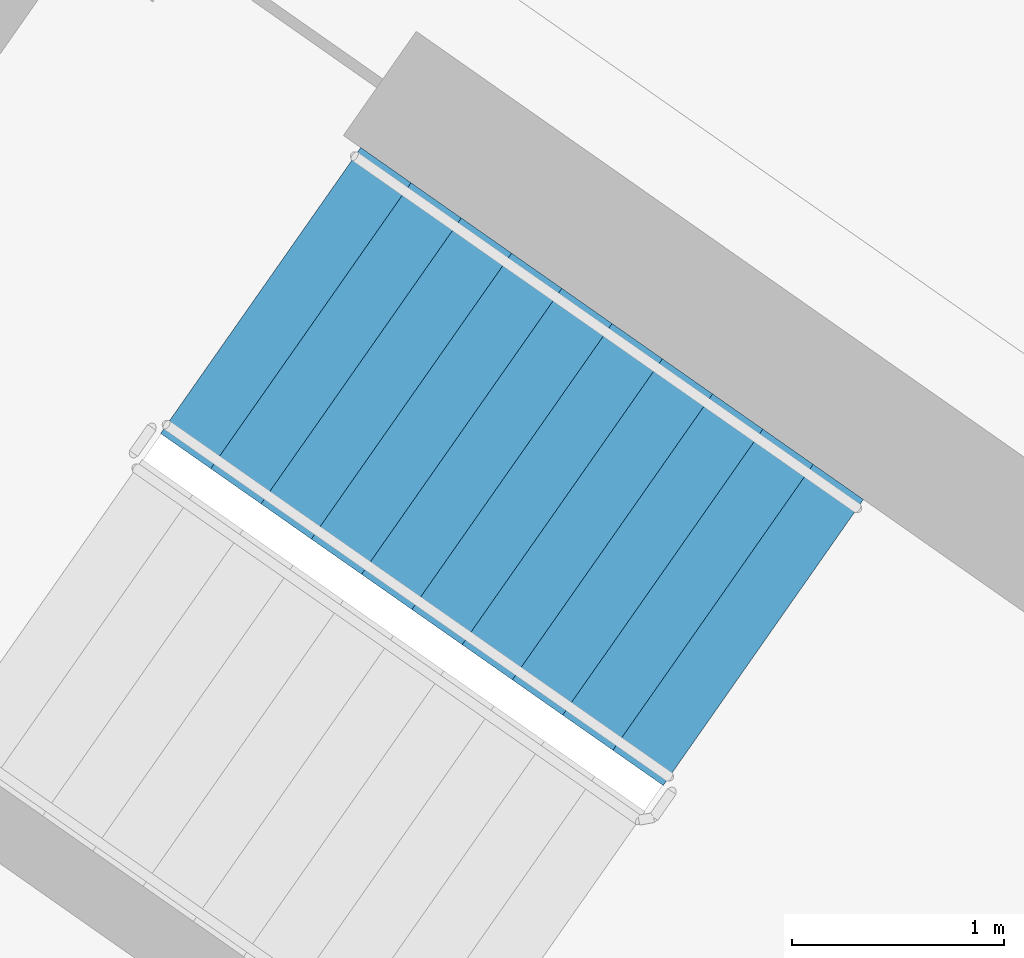
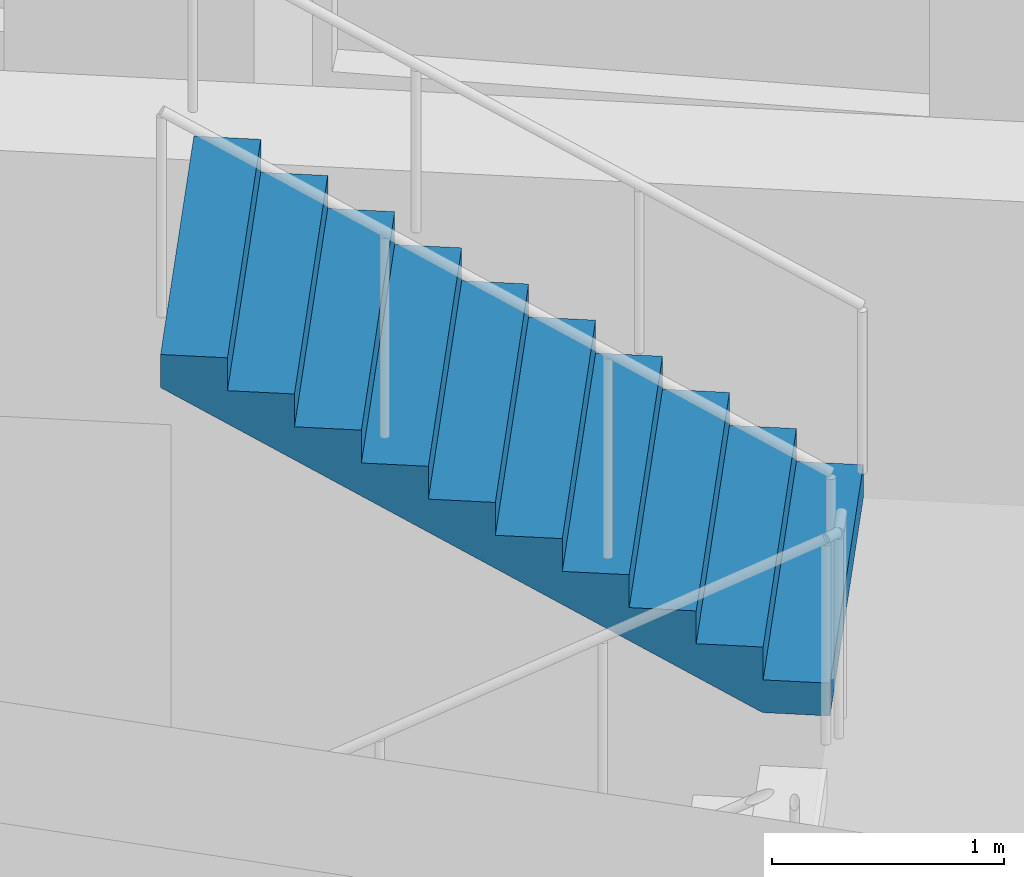
# One storey, part 14 of 27: 1 stair flight, 1 element without a shape of its own.
"""IFC4 building model written with IfcOpenShell, lengths in metres."""

from ifc_helpers import new_model, si_unit, direction, frame, origin, place, context, subcontext, project, spatial, faceted_brep, material, type_object, element, aggregate, save


model = new_model("IFC4")

# Units and contexts
model_context = context("Model", 3, precision=1e-05, world=origin(), true_north=direction((0.0, 1.0)))
body_context = subcontext(model_context, "Body", "Model", "MODEL_VIEW")
ifc_project = project(units=[si_unit("LENGTHUNIT", "METRE"), si_unit("AREAUNIT", "SQUARE_METRE"), si_unit("VOLUMEUNIT", "CUBIC_METRE"), si_unit("PLANEANGLEUNIT", "RADIAN"), si_unit("MASSUNIT", "GRAM", prefix="KILO")], contexts=[model_context])

# Site, building, storey
site_placement = place(None, origin())
site = spatial("IfcSite", under=ifc_project, at=site_placement, CompositionType="ELEMENT")
building_placement = place(site_placement, origin())
building = spatial("IfcBuilding", under=site, at=building_placement, Name="Qamariyya Broadcast Tower", CompositionType="ELEMENT")
storey_placement = place(building_placement, frame((0.0, 0.0, 179.699951171875)))
storey = spatial("IfcBuildingStorey", under=building, at=storey_placement, Name="L42", CompositionType="ELEMENT", Elevation=179.699951171875)

# Stair, stair flight
ifc_material = material(Name="Concrete C50/60", Category="concrete")
stair_type = type_object("IfcStairType", Name="Exit stair 22 risers of 173 mm", PredefinedType="HALF_TURN_STAIR", material=ifc_material)
stair_placement = place(storey_placement, origin())
stair = element("IfcStair", 1, at=stair_placement, inside=storey, type_object=stair_type, Name="L42 Stair W2", PredefinedType="HALF_TURN_STAIR")
stair_flight_type = type_object("IfcStairFlightType", Name="Exit stair flight 11 risers of 173 mm", PredefinedType="STRAIGHT", material=ifc_material)
stair_flight_placement = place(storey_placement, frame((-38.18310546875, -49.3486328125, 1.900146484375), z_axis=(0.0, 0.0, 1.0), x_axis=(-0.819152044289, 0.573576436351, 0.0)))
stair_flight = element("IfcStairFlight", 2, at=stair_flight_placement, type_object=stair_flight_type, Name="ST-W2 flight 2", NumberOfRisers=11, NumberOfTreads=10, PredefinedType="STRAIGHT", RiserHeight=0.172727273, TreadLength=0.29, context=body_context, shape_type="Brep", body=[
    faceted_brep([(0.0, 0.824951171875, 0.0), (0.0, 0.824951171875, 0.172607421875), (0.2900390625, 0.824951171875, 0.172607421875), (0.2900390625, 0.824951171875, 0.345458984375), (0.580078125, 0.824951171875, 0.345458984375), (0.580078125, 0.824951171875, 0.51806640625), (0.8701171875, 0.824951171875, 0.51806640625), (0.8701171875, 0.824951171875, 0.69091796875), (1.159912109375, 0.824951171875, 0.69091796875), (1.159912109375, 0.824951171875, 0.863525390625), (1.449951171875, 0.824951171875, 0.863525390625), (1.449951171875, 0.824951171875, 1.036376953125), (1.739990234375, 0.824951171875, 1.036376953125), (1.739990234375, 0.824951171875, 1.208984375), (2.030029296875, 0.824951171875, 1.208984375), (2.030029296875, 0.824951171875, 1.3818359375), (2.320068359375, 0.824951171875, 1.3818359375), (2.320068359375, 0.824951171875, 1.554443359375), (2.610107421875, 0.824951171875, 1.554443359375), (2.610107421875, 0.824951171875, 1.727294921875), (2.89990234375, 0.824951171875, 1.727294921875), (2.89990234375, 0.824951171875, 1.552734375), (0.29296875, 0.824951171875, 0.0), (0.29296875, -0.824951171875, 0.0), (2.89990234375, -0.824951171875, 1.552734375), (2.89990234375, -0.824951171875, 1.727294921875), (2.610107421875, -0.824951171875, 1.727294921875), (2.610107421875, -0.824951171875, 1.554443359375), (2.320068359375, -0.824951171875, 1.554443359375), (2.320068359375, -0.824951171875, 1.3818359375), (2.030029296875, -0.824951171875, 1.3818359375), (2.030029296875, -0.824951171875, 1.208984375), (1.739990234375, -0.824951171875, 1.208984375), (1.739990234375, -0.824951171875, 1.036376953125), (1.449951171875, -0.824951171875, 1.036376953125), (1.449951171875, -0.824951171875, 0.863525390625), (1.159912109375, -0.824951171875, 0.863525390625), (1.159912109375, -0.824951171875, 0.69091796875), (0.8701171875, -0.824951171875, 0.69091796875), (0.8701171875, -0.824951171875, 0.51806640625), (0.580078125, -0.824951171875, 0.51806640625), (0.580078125, -0.824951171875, 0.345458984375), (0.2900390625, -0.824951171875, 0.345458984375), (0.2900390625, -0.824951171875, 0.172607421875), (0.0, -0.824951171875, 0.172607421875), (0.0, -0.824951171875, 0.0), (0.0, 0.10009765625, 0.0), (0.0, 0.086669921875, 0.0), (0.0, 0.0732421875, 0.0), (0.0, 0.06005859375, 0.0), (0.0, 0.046630859375, 0.0), (0.0, 0.033447265625, 0.0), (0.0, 0.02001953125, 0.0), (0.0, 0.006591796875, 0.0), (0.0, -0.006591796875, 0.0), (0.0, -0.02001953125, 0.0), (0.0, -0.033447265625, 0.0), (0.0, -0.046630859375, 0.0), (0.0, -0.06005859375, 0.0), (0.0, -0.0732421875, 0.0), (0.0, -0.086669921875, 0.0), (0.0, -0.10009765625, 0.0), (0.0, -0.10009765625, 0.172607421875), (0.0, -0.086669921875, 0.172607421875), (0.0, -0.0732421875, 0.172607421875), (0.0, -0.06005859375, 0.172607421875), (0.0, -0.046630859375, 0.172607421875), (0.0, -0.033447265625, 0.172607421875), (0.0, -0.02001953125, 0.172607421875), (0.0, -0.006591796875, 0.172607421875), (0.0, 0.006591796875, 0.172607421875), (0.0, 0.02001953125, 0.172607421875), (0.0, 0.033447265625, 0.172607421875), (0.0, 0.046630859375, 0.172607421875), (0.0, 0.06005859375, 0.172607421875), (0.0, 0.0732421875, 0.172607421875), (0.0, 0.086669921875, 0.172607421875), (0.0, 0.10009765625, 0.172607421875), (0.2900390625, -0.10009765625, 0.172607421875), (0.2900390625, -0.086669921875, 0.172607421875), (0.2900390625, -0.0732421875, 0.172607421875), (0.2900390625, -0.06005859375, 0.172607421875), (0.2900390625, -0.046630859375, 0.172607421875), (0.2900390625, -0.033447265625, 0.172607421875), (0.2900390625, -0.02001953125, 0.172607421875), (0.2900390625, -0.006591796875, 0.172607421875), (0.2900390625, 0.006591796875, 0.172607421875), (0.2900390625, 0.02001953125, 0.172607421875), (0.2900390625, 0.033447265625, 0.172607421875), (0.2900390625, 0.046630859375, 0.172607421875), (0.2900390625, 0.06005859375, 0.172607421875), (0.2900390625, 0.0732421875, 0.172607421875), (0.2900390625, 0.086669921875, 0.172607421875), (0.2900390625, 0.10009765625, 0.172607421875), (0.2900390625, -0.10009765625, 0.345458984375), (0.2900390625, -0.086669921875, 0.345458984375), (0.2900390625, -0.0732421875, 0.345458984375), (0.2900390625, -0.06005859375, 0.345458984375), (0.2900390625, -0.046630859375, 0.345458984375), (0.2900390625, -0.033447265625, 0.345458984375), (0.2900390625, -0.02001953125, 0.345458984375), (0.2900390625, -0.006591796875, 0.345458984375), (0.2900390625, 0.006591796875, 0.345458984375), (0.2900390625, 0.02001953125, 0.345458984375), (0.2900390625, 0.033447265625, 0.345458984375), (0.2900390625, 0.046630859375, 0.345458984375), (0.2900390625, 0.06005859375, 0.345458984375), (0.2900390625, 0.0732421875, 0.345458984375), (0.2900390625, 0.086669921875, 0.345458984375), (0.2900390625, 0.10009765625, 0.345458984375), (0.580078125, -0.10009765625, 0.345458984375), (0.580078125, -0.086669921875, 0.345458984375), (0.580078125, -0.0732421875, 0.345458984375), (0.580078125, -0.06005859375, 0.345458984375), (0.580078125, -0.046630859375, 0.345458984375), (0.580078125, -0.033447265625, 0.345458984375), (0.580078125, -0.02001953125, 0.345458984375), (0.580078125, -0.006591796875, 0.345458984375), (0.580078125, 0.006591796875, 0.345458984375), (0.580078125, 0.02001953125, 0.345458984375), (0.580078125, 0.033447265625, 0.345458984375), (0.580078125, 0.046630859375, 0.345458984375), (0.580078125, 0.06005859375, 0.345458984375), (0.580078125, 0.0732421875, 0.345458984375), (0.580078125, 0.086669921875, 0.345458984375), (0.580078125, 0.10009765625, 0.345458984375), (0.580078125, -0.10009765625, 0.51806640625), (0.580078125, -0.086669921875, 0.51806640625), (0.580078125, -0.0732421875, 0.51806640625), (0.580078125, -0.06005859375, 0.51806640625), (0.580078125, -0.046630859375, 0.51806640625), (0.580078125, -0.033447265625, 0.51806640625), (0.580078125, -0.02001953125, 0.51806640625), (0.580078125, -0.006591796875, 0.51806640625), (0.580078125, 0.006591796875, 0.51806640625), (0.580078125, 0.02001953125, 0.51806640625), (0.580078125, 0.033447265625, 0.51806640625), (0.580078125, 0.046630859375, 0.51806640625), (0.580078125, 0.06005859375, 0.51806640625), (0.580078125, 0.0732421875, 0.51806640625), (0.580078125, 0.086669921875, 0.51806640625), (0.580078125, 0.10009765625, 0.51806640625), (0.8701171875, -0.10009765625, 0.51806640625), (0.8701171875, -0.086669921875, 0.51806640625), (0.8701171875, -0.0732421875, 0.51806640625), (0.8701171875, -0.06005859375, 0.51806640625), (0.8701171875, -0.046630859375, 0.51806640625), (0.8701171875, -0.033447265625, 0.51806640625), (0.8701171875, -0.02001953125, 0.51806640625), (0.8701171875, -0.006591796875, 0.51806640625), (0.8701171875, 0.006591796875, 0.51806640625), (0.8701171875, 0.02001953125, 0.51806640625), (0.8701171875, 0.033447265625, 0.51806640625), (0.8701171875, 0.046630859375, 0.51806640625), (0.8701171875, 0.06005859375, 0.51806640625), (0.8701171875, 0.0732421875, 0.51806640625), (0.8701171875, 0.086669921875, 0.51806640625), (0.8701171875, 0.10009765625, 0.51806640625), (0.8701171875, -0.10009765625, 0.69091796875), (0.8701171875, -0.086669921875, 0.69091796875), (0.8701171875, -0.0732421875, 0.69091796875), (0.8701171875, -0.06005859375, 0.69091796875), (0.8701171875, -0.046630859375, 0.69091796875), (0.8701171875, -0.033447265625, 0.69091796875), (0.8701171875, -0.02001953125, 0.69091796875), (0.8701171875, -0.006591796875, 0.69091796875), (0.8701171875, 0.006591796875, 0.69091796875), (0.8701171875, 0.02001953125, 0.69091796875), (0.8701171875, 0.033447265625, 0.69091796875), (0.8701171875, 0.046630859375, 0.69091796875), (0.8701171875, 0.06005859375, 0.69091796875), (0.8701171875, 0.0732421875, 0.69091796875), (0.8701171875, 0.086669921875, 0.69091796875), (0.8701171875, 0.10009765625, 0.69091796875), (1.159912109375, -0.10009765625, 0.69091796875), (1.159912109375, -0.086669921875, 0.69091796875), (1.159912109375, -0.0732421875, 0.69091796875), (1.159912109375, -0.06005859375, 0.69091796875), (1.159912109375, -0.046630859375, 0.69091796875), (1.159912109375, -0.033447265625, 0.69091796875), (1.159912109375, -0.02001953125, 0.69091796875), (1.159912109375, -0.006591796875, 0.69091796875), (1.159912109375, 0.006591796875, 0.69091796875), (1.159912109375, 0.02001953125, 0.69091796875), (1.159912109375, 0.033447265625, 0.69091796875), (1.159912109375, 0.046630859375, 0.69091796875), (1.159912109375, 0.06005859375, 0.69091796875), (1.159912109375, 0.0732421875, 0.69091796875), (1.159912109375, 0.086669921875, 0.69091796875), (1.159912109375, 0.10009765625, 0.69091796875), (1.159912109375, -0.10009765625, 0.863525390625), (1.159912109375, -0.086669921875, 0.863525390625), (1.159912109375, -0.0732421875, 0.863525390625), (1.159912109375, -0.06005859375, 0.863525390625), (1.159912109375, -0.046630859375, 0.863525390625), (1.159912109375, -0.033447265625, 0.863525390625), (1.159912109375, -0.02001953125, 0.863525390625), (1.159912109375, -0.006591796875, 0.863525390625), (1.159912109375, 0.006591796875, 0.863525390625), (1.159912109375, 0.02001953125, 0.863525390625), (1.159912109375, 0.033447265625, 0.863525390625), (1.159912109375, 0.046630859375, 0.863525390625), (1.159912109375, 0.06005859375, 0.863525390625), (1.159912109375, 0.0732421875, 0.863525390625), (1.159912109375, 0.086669921875, 0.863525390625), (1.159912109375, 0.10009765625, 0.863525390625), (1.449951171875, -0.10009765625, 0.863525390625), (1.449951171875, -0.086669921875, 0.863525390625), (1.449951171875, -0.0732421875, 0.863525390625), (1.449951171875, -0.06005859375, 0.863525390625), (1.449951171875, -0.046630859375, 0.863525390625), (1.449951171875, -0.033447265625, 0.863525390625), (1.449951171875, -0.02001953125, 0.863525390625), (1.449951171875, -0.006591796875, 0.863525390625), (1.449951171875, 0.006591796875, 0.863525390625), (1.449951171875, 0.02001953125, 0.863525390625), (1.449951171875, 0.033447265625, 0.863525390625), (1.449951171875, 0.046630859375, 0.863525390625), (1.449951171875, 0.06005859375, 0.863525390625), (1.449951171875, 0.0732421875, 0.863525390625), (1.449951171875, 0.086669921875, 0.863525390625), (1.449951171875, 0.10009765625, 0.863525390625), (1.449951171875, -0.10009765625, 1.036376953125), (1.449951171875, -0.086669921875, 1.036376953125), (1.449951171875, -0.0732421875, 1.036376953125), (1.449951171875, -0.06005859375, 1.036376953125), (1.449951171875, -0.046630859375, 1.036376953125), (1.449951171875, -0.033447265625, 1.036376953125), (1.449951171875, -0.02001953125, 1.036376953125), (1.449951171875, -0.006591796875, 1.036376953125), (1.449951171875, 0.006591796875, 1.036376953125), (1.449951171875, 0.02001953125, 1.036376953125), (1.449951171875, 0.033447265625, 1.036376953125), (1.449951171875, 0.046630859375, 1.036376953125), (1.449951171875, 0.06005859375, 1.036376953125), (1.449951171875, 0.0732421875, 1.036376953125), (1.449951171875, 0.086669921875, 1.036376953125), (1.449951171875, 0.10009765625, 1.036376953125), (1.739990234375, -0.10009765625, 1.036376953125), (1.739990234375, -0.086669921875, 1.036376953125), (1.739990234375, -0.0732421875, 1.036376953125), (1.739990234375, -0.06005859375, 1.036376953125), (1.739990234375, -0.046630859375, 1.036376953125), (1.739990234375, -0.033447265625, 1.036376953125), (1.739990234375, -0.02001953125, 1.036376953125), (1.739990234375, -0.006591796875, 1.036376953125), (1.739990234375, 0.006591796875, 1.036376953125), (1.739990234375, 0.02001953125, 1.036376953125), (1.739990234375, 0.033447265625, 1.036376953125), (1.739990234375, 0.046630859375, 1.036376953125), (1.739990234375, 0.06005859375, 1.036376953125), (1.739990234375, 0.0732421875, 1.036376953125), (1.739990234375, 0.086669921875, 1.036376953125), (1.739990234375, 0.10009765625, 1.036376953125), (1.739990234375, -0.10009765625, 1.208984375), (1.739990234375, -0.086669921875, 1.208984375), (1.739990234375, -0.0732421875, 1.208984375), (1.739990234375, -0.06005859375, 1.208984375), (1.739990234375, -0.046630859375, 1.208984375), (1.739990234375, -0.033447265625, 1.208984375), (1.739990234375, -0.02001953125, 1.208984375), (1.739990234375, -0.006591796875, 1.208984375), (1.739990234375, 0.006591796875, 1.208984375), (1.739990234375, 0.02001953125, 1.208984375), (1.739990234375, 0.033447265625, 1.208984375), (1.739990234375, 0.046630859375, 1.208984375), (1.739990234375, 0.06005859375, 1.208984375), (1.739990234375, 0.0732421875, 1.208984375), (1.739990234375, 0.086669921875, 1.208984375), (1.739990234375, 0.10009765625, 1.208984375), (2.030029296875, -0.10009765625, 1.208984375), (2.030029296875, -0.086669921875, 1.208984375), (2.030029296875, -0.0732421875, 1.208984375), (2.030029296875, -0.06005859375, 1.208984375), (2.030029296875, -0.046630859375, 1.208984375), (2.030029296875, -0.033447265625, 1.208984375), (2.030029296875, -0.02001953125, 1.208984375), (2.030029296875, -0.006591796875, 1.208984375), (2.030029296875, 0.006591796875, 1.208984375), (2.030029296875, 0.02001953125, 1.208984375), (2.030029296875, 0.033447265625, 1.208984375), (2.030029296875, 0.046630859375, 1.208984375), (2.030029296875, 0.06005859375, 1.208984375), (2.030029296875, 0.0732421875, 1.208984375), (2.030029296875, 0.086669921875, 1.208984375), (2.030029296875, 0.10009765625, 1.208984375), (2.030029296875, -0.10009765625, 1.3818359375), (2.030029296875, -0.086669921875, 1.3818359375), (2.030029296875, -0.0732421875, 1.3818359375), (2.030029296875, -0.06005859375, 1.3818359375), (2.030029296875, -0.046630859375, 1.3818359375), (2.030029296875, -0.033447265625, 1.3818359375), (2.030029296875, -0.02001953125, 1.3818359375), (2.030029296875, -0.006591796875, 1.3818359375), (2.030029296875, 0.006591796875, 1.3818359375), (2.030029296875, 0.02001953125, 1.3818359375), (2.030029296875, 0.033447265625, 1.3818359375), (2.030029296875, 0.046630859375, 1.3818359375), (2.030029296875, 0.06005859375, 1.3818359375), (2.030029296875, 0.0732421875, 1.3818359375), (2.030029296875, 0.086669921875, 1.3818359375), (2.030029296875, 0.10009765625, 1.3818359375), (2.320068359375, -0.10009765625, 1.3818359375), (2.320068359375, -0.086669921875, 1.3818359375), (2.320068359375, -0.0732421875, 1.3818359375), (2.320068359375, -0.06005859375, 1.3818359375), (2.320068359375, -0.046630859375, 1.3818359375), (2.320068359375, -0.033447265625, 1.3818359375), (2.320068359375, -0.02001953125, 1.3818359375), (2.320068359375, -0.006591796875, 1.3818359375), (2.320068359375, 0.006591796875, 1.3818359375), (2.320068359375, 0.02001953125, 1.3818359375), (2.320068359375, 0.033447265625, 1.3818359375), (2.320068359375, 0.046630859375, 1.3818359375), (2.320068359375, 0.06005859375, 1.3818359375), (2.320068359375, 0.0732421875, 1.3818359375), (2.320068359375, 0.086669921875, 1.3818359375), (2.320068359375, 0.10009765625, 1.3818359375), (2.320068359375, -0.10009765625, 1.554443359375), (2.320068359375, -0.086669921875, 1.554443359375), (2.320068359375, -0.0732421875, 1.554443359375), (2.320068359375, -0.06005859375, 1.554443359375), (2.320068359375, -0.046630859375, 1.554443359375), (2.320068359375, -0.033447265625, 1.554443359375), (2.320068359375, -0.02001953125, 1.554443359375), (2.320068359375, -0.006591796875, 1.554443359375), (2.320068359375, 0.006591796875, 1.554443359375), (2.320068359375, 0.02001953125, 1.554443359375), (2.320068359375, 0.033447265625, 1.554443359375), (2.320068359375, 0.046630859375, 1.554443359375), (2.320068359375, 0.06005859375, 1.554443359375), (2.320068359375, 0.0732421875, 1.554443359375), (2.320068359375, 0.086669921875, 1.554443359375), (2.320068359375, 0.10009765625, 1.554443359375), (2.610107421875, -0.10009765625, 1.554443359375), (2.610107421875, -0.086669921875, 1.554443359375), (2.610107421875, -0.0732421875, 1.554443359375), (2.610107421875, -0.06005859375, 1.554443359375), (2.610107421875, -0.046630859375, 1.554443359375), (2.610107421875, -0.033447265625, 1.554443359375), (2.610107421875, -0.02001953125, 1.554443359375), (2.610107421875, -0.006591796875, 1.554443359375), (2.610107421875, 0.006591796875, 1.554443359375), (2.610107421875, 0.02001953125, 1.554443359375), (2.610107421875, 0.033447265625, 1.554443359375), (2.610107421875, 0.046630859375, 1.554443359375), (2.610107421875, 0.06005859375, 1.554443359375), (2.610107421875, 0.0732421875, 1.554443359375), (2.610107421875, 0.086669921875, 1.554443359375), (2.610107421875, 0.10009765625, 1.554443359375), (2.610107421875, -0.10009765625, 1.727294921875), (2.610107421875, -0.086669921875, 1.727294921875), (2.610107421875, -0.0732421875, 1.727294921875), (2.610107421875, -0.06005859375, 1.727294921875), (2.610107421875, -0.046630859375, 1.727294921875), (2.610107421875, -0.033447265625, 1.727294921875), (2.610107421875, -0.02001953125, 1.727294921875), (2.610107421875, -0.006591796875, 1.727294921875), (2.610107421875, 0.006591796875, 1.727294921875), (2.610107421875, 0.02001953125, 1.727294921875), (2.610107421875, 0.033447265625, 1.727294921875), (2.610107421875, 0.046630859375, 1.727294921875), (2.610107421875, 0.06005859375, 1.727294921875), (2.610107421875, 0.0732421875, 1.727294921875), (2.610107421875, 0.086669921875, 1.727294921875), (2.610107421875, 0.10009765625, 1.727294921875), (2.89990234375, -0.10009765625, 1.727294921875), (2.89990234375, -0.086669921875, 1.727294921875), (2.89990234375, -0.0732421875, 1.727294921875), (2.89990234375, -0.06005859375, 1.727294921875), (2.89990234375, -0.046630859375, 1.727294921875), (2.89990234375, -0.033447265625, 1.727294921875), (2.89990234375, -0.02001953125, 1.727294921875), (2.89990234375, -0.006591796875, 1.727294921875), (2.89990234375, 0.006591796875, 1.727294921875), (2.89990234375, 0.02001953125, 1.727294921875), (2.89990234375, 0.033447265625, 1.727294921875), (2.89990234375, 0.046630859375, 1.727294921875), (2.89990234375, 0.06005859375, 1.727294921875), (2.89990234375, 0.0732421875, 1.727294921875), (2.89990234375, 0.086669921875, 1.727294921875), (2.89990234375, 0.10009765625, 1.727294921875), (2.89990234375, -0.10009765625, 1.552734375), (2.89990234375, -0.086669921875, 1.552734375), (2.89990234375, -0.0732421875, 1.552734375), (2.89990234375, -0.06005859375, 1.552734375), (2.89990234375, -0.046630859375, 1.552734375), (2.89990234375, -0.033447265625, 1.552734375), (2.89990234375, -0.02001953125, 1.552734375), (2.89990234375, -0.006591796875, 1.552734375), (2.89990234375, 0.006591796875, 1.552734375), (2.89990234375, 0.02001953125, 1.552734375), (2.89990234375, 0.033447265625, 1.552734375), (2.89990234375, 0.046630859375, 1.552734375), (2.89990234375, 0.06005859375, 1.552734375), (2.89990234375, 0.0732421875, 1.552734375), (2.89990234375, 0.086669921875, 1.552734375), (2.89990234375, 0.10009765625, 1.552734375), (0.29296875, -0.10009765625, 0.0), (0.29296875, -0.086669921875, 0.0), (0.29296875, -0.0732421875, 0.0), (0.29296875, -0.06005859375, 0.0), (0.29296875, -0.046630859375, 0.0), (0.29296875, -0.033447265625, 0.0), (0.29296875, -0.02001953125, 0.0), (0.29296875, -0.006591796875, 0.0), (0.29296875, 0.006591796875, 0.0), (0.29296875, 0.02001953125, 0.0), (0.29296875, 0.033447265625, 0.0), (0.29296875, 0.046630859375, 0.0), (0.29296875, 0.06005859375, 0.0), (0.29296875, 0.0732421875, 0.0), (0.29296875, 0.086669921875, 0.0), (0.29296875, 0.10009765625, 0.0)], [[[0, 1, 2, 3, 4, 5, 6, 7, 8, 9, 10, 11, 12, 13, 14, 15, 16, 17, 18, 19, 20, 21, 22]], [[23, 24, 25, 26, 27, 28, 29, 30, 31, 32, 33, 34, 35, 36, 37, 38, 39, 40, 41, 42, 43, 44, 45]], [[0, 46, 47, 48, 49, 50, 51, 52, 53, 54, 55, 56, 57, 58, 59, 60, 61, 45, 44, 62, 63, 64, 65, 66, 67, 68, 69, 70, 71, 72, 73, 74, 75, 76, 77, 1]], [[1, 77, 76, 75, 74, 73, 72, 71, 70, 69, 68, 67, 66, 65, 64, 63, 62, 44, 43, 78, 79, 80, 81, 82, 83, 84, 85, 86, 87, 88, 89, 90, 91, 92, 93, 2]], [[2, 93, 92, 91, 90, 89, 88, 87, 86, 85, 84, 83, 82, 81, 80, 79, 78, 43, 42, 94, 95, 96, 97, 98, 99, 100, 101, 102, 103, 104, 105, 106, 107, 108, 109, 3]], [[3, 109, 108, 107, 106, 105, 104, 103, 102, 101, 100, 99, 98, 97, 96, 95, 94, 42, 41, 110, 111, 112, 113, 114, 115, 116, 117, 118, 119, 120, 121, 122, 123, 124, 125, 4]], [[4, 125, 124, 123, 122, 121, 120, 119, 118, 117, 116, 115, 114, 113, 112, 111, 110, 41, 40, 126, 127, 128, 129, 130, 131, 132, 133, 134, 135, 136, 137, 138, 139, 140, 141, 5]], [[5, 141, 140, 139, 138, 137, 136, 135, 134, 133, 132, 131, 130, 129, 128, 127, 126, 40, 39, 142, 143, 144, 145, 146, 147, 148, 149, 150, 151, 152, 153, 154, 155, 156, 157, 6]], [[6, 157, 156, 155, 154, 153, 152, 151, 150, 149, 148, 147, 146, 145, 144, 143, 142, 39, 38, 158, 159, 160, 161, 162, 163, 164, 165, 166, 167, 168, 169, 170, 171, 172, 173, 7]], [[7, 173, 172, 171, 170, 169, 168, 167, 166, 165, 164, 163, 162, 161, 160, 159, 158, 38, 37, 174, 175, 176, 177, 178, 179, 180, 181, 182, 183, 184, 185, 186, 187, 188, 189, 8]], [[8, 189, 188, 187, 186, 185, 184, 183, 182, 181, 180, 179, 178, 177, 176, 175, 174, 37, 36, 190, 191, 192, 193, 194, 195, 196, 197, 198, 199, 200, 201, 202, 203, 204, 205, 9]], [[9, 205, 204, 203, 202, 201, 200, 199, 198, 197, 196, 195, 194, 193, 192, 191, 190, 36, 35, 206, 207, 208, 209, 210, 211, 212, 213, 214, 215, 216, 217, 218, 219, 220, 221, 10]], [[10, 221, 220, 219, 218, 217, 216, 215, 214, 213, 212, 211, 210, 209, 208, 207, 206, 35, 34, 222, 223, 224, 225, 226, 227, 228, 229, 230, 231, 232, 233, 234, 235, 236, 237, 11]], [[11, 237, 236, 235, 234, 233, 232, 231, 230, 229, 228, 227, 226, 225, 224, 223, 222, 34, 33, 238, 239, 240, 241, 242, 243, 244, 245, 246, 247, 248, 249, 250, 251, 252, 253, 12]], [[12, 253, 252, 251, 250, 249, 248, 247, 246, 245, 244, 243, 242, 241, 240, 239, 238, 33, 32, 254, 255, 256, 257, 258, 259, 260, 261, 262, 263, 264, 265, 266, 267, 268, 269, 13]], [[13, 269, 268, 267, 266, 265, 264, 263, 262, 261, 260, 259, 258, 257, 256, 255, 254, 32, 31, 270, 271, 272, 273, 274, 275, 276, 277, 278, 279, 280, 281, 282, 283, 284, 285, 14]], [[14, 285, 284, 283, 282, 281, 280, 279, 278, 277, 276, 275, 274, 273, 272, 271, 270, 31, 30, 286, 287, 288, 289, 290, 291, 292, 293, 294, 295, 296, 297, 298, 299, 300, 301, 15]], [[15, 301, 300, 299, 298, 297, 296, 295, 294, 293, 292, 291, 290, 289, 288, 287, 286, 30, 29, 302, 303, 304, 305, 306, 307, 308, 309, 310, 311, 312, 313, 314, 315, 316, 317, 16]], [[16, 317, 316, 315, 314, 313, 312, 311, 310, 309, 308, 307, 306, 305, 304, 303, 302, 29, 28, 318, 319, 320, 321, 322, 323, 324, 325, 326, 327, 328, 329, 330, 331, 332, 333, 17]], [[17, 333, 332, 331, 330, 329, 328, 327, 326, 325, 324, 323, 322, 321, 320, 319, 318, 28, 27, 334, 335, 336, 337, 338, 339, 340, 341, 342, 343, 344, 345, 346, 347, 348, 349, 18]], [[18, 349, 348, 347, 346, 345, 344, 343, 342, 341, 340, 339, 338, 337, 336, 335, 334, 27, 26, 350, 351, 352, 353, 354, 355, 356, 357, 358, 359, 360, 361, 362, 363, 364, 365, 19]], [[19, 365, 364, 363, 362, 361, 360, 359, 358, 357, 356, 355, 354, 353, 352, 351, 350, 26, 25, 366, 367, 368, 369, 370, 371, 372, 373, 374, 375, 376, 377, 378, 379, 380, 381, 20]], [[20, 381, 380, 379, 378, 377, 376, 375, 374, 373, 372, 371, 370, 369, 368, 367, 366, 25, 24, 382, 383, 384, 385, 386, 387, 388, 389, 390, 391, 392, 393, 394, 395, 396, 397, 21]], [[21, 397, 396, 395, 394, 393, 392, 391, 390, 389, 388, 387, 386, 385, 384, 383, 382, 24, 23, 398, 399, 400, 401, 402, 403, 404, 405, 406, 407, 408, 409, 410, 411, 412, 413, 22]], [[22, 413, 412, 411, 410, 409, 408, 407, 406, 405, 404, 403, 402, 401, 400, 399, 398, 23, 45, 61, 60, 59, 58, 57, 56, 55, 54, 53, 52, 51, 50, 49, 48, 47, 46, 0]]]),
])
aggregate(stair, [stair_flight])

save(model, "model.ifc")
